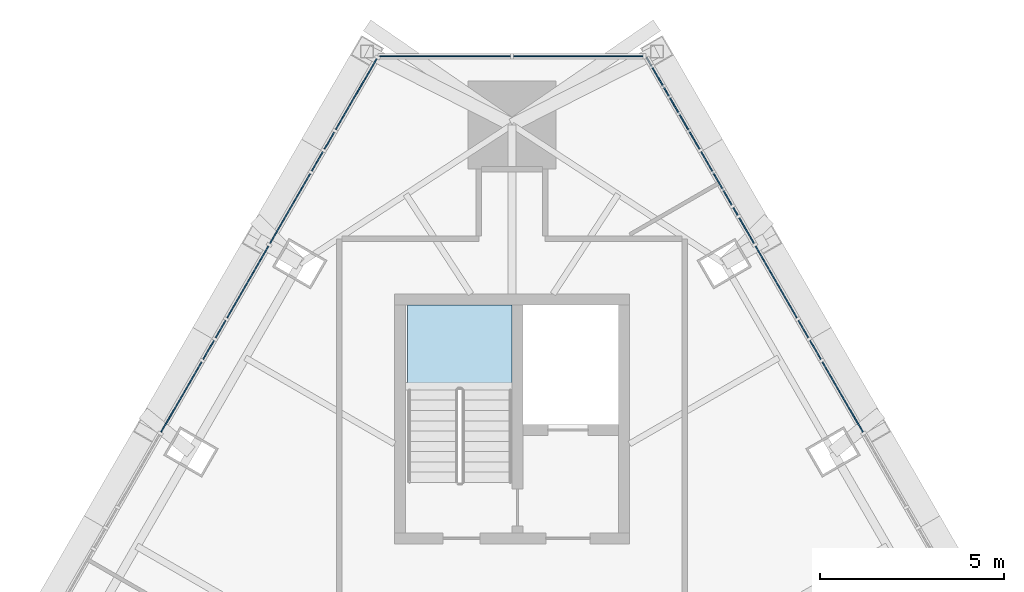
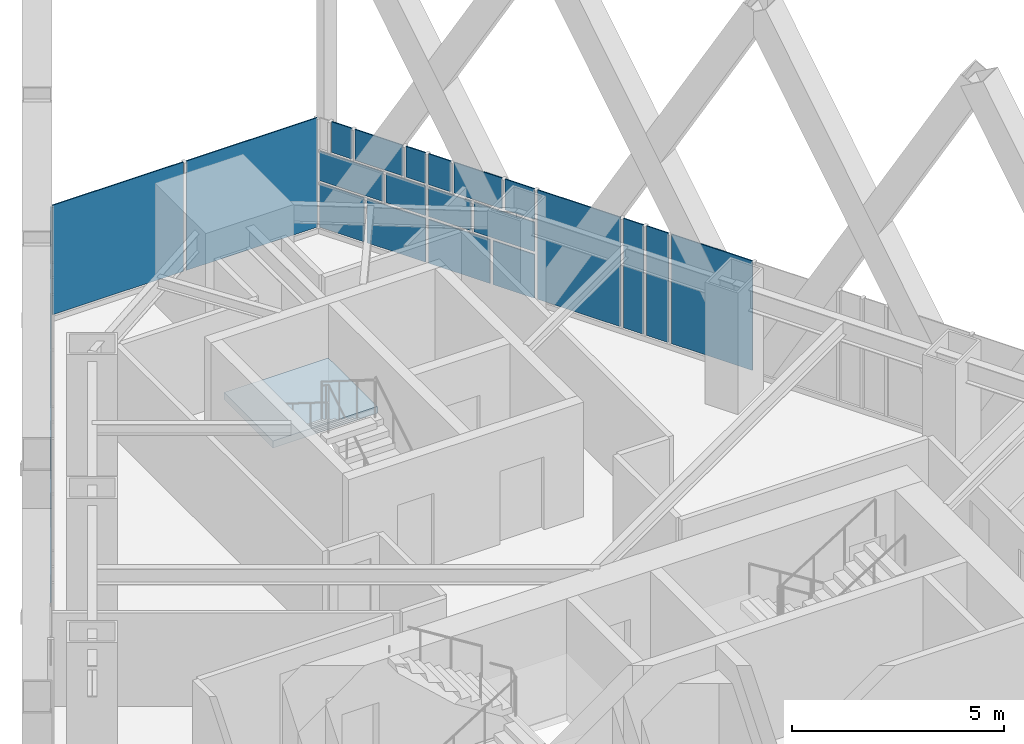
# One storey, part 15 of 23: 28 plates, 1 slab, 4 elements without a shape of their own.
"""IFC4 building model written with IfcOpenShell, lengths in metres."""

from ifc_helpers import new_model, si_unit, direction, frame, origin, place, context, subcontext, project, spatial, polyline, outline, extrude, material, layer, layer_set, type_object, element, aggregate, save


model = new_model("IFC4")

# Units and contexts
model_context = context("Model", 3, precision=1e-05, world=origin(), true_north=direction((0.0, 1.0)))
body_context = subcontext(model_context, "Body", "Model", "MODEL_VIEW")
ifc_project = project(units=[si_unit("LENGTHUNIT", "METRE"), si_unit("AREAUNIT", "SQUARE_METRE"), si_unit("VOLUMEUNIT", "CUBIC_METRE"), si_unit("PLANEANGLEUNIT", "RADIAN"), si_unit("MASSUNIT", "GRAM", prefix="KILO")], contexts=[model_context])

# Site, building, storey
site_placement = place(None, origin())
site = spatial("IfcSite", under=ifc_project, at=site_placement, CompositionType="ELEMENT")
building_placement = place(site_placement, origin())
building = spatial("IfcBuilding", under=site, at=building_placement, Name="Firuza Gate Tower and Library", CompositionType="ELEMENT")
storey_placement = place(building_placement, frame((0.0, 0.0, 312.60009765625)))
storey = spatial("IfcBuildingStorey", under=building, at=storey_placement, Name="L76", CompositionType="ELEMENT", Elevation=312.60009765625)

# Curtain wall, plates
ifc_material_1 = material(Name="Aluminium 6063-T6", Category="aluminium")
ifc_layer_1 = layer(ifc_material_1, 0.14990234375)
ifc_layer_set_1 = layer_set([ifc_layer_1], Name="Corner curtain wall, chamfers")
curtain_wall_type_1 = type_object("IfcCurtainWallType", Name="Corner curtain wall, chamfers", PredefinedType="NOTDEFINED", material=ifc_layer_set_1)
placement = place(storey_placement, origin())
curtain_wall_1 = element("IfcCurtainWall", 1, at=placement, inside=storey, type_object=curtain_wall_type_1, Name="CW4 L76 N corner", PredefinedType="NOTDEFINED")
ifc_material_2 = material(Name="Fritted glass", Category="glass")
ifc_layer_2 = layer(ifc_material_2, 0.030029296875)
ifc_layer_set_2 = layer_set([ifc_layer_2], Name="Fritted glass unit, corners")
plate_type_1 = type_object("IfcPlateType", Name="Fritted glass unit, corners", PredefinedType="CURTAIN_PANEL", material=ifc_layer_set_2)
plate_1_placement = place(storey_placement, frame((78.603271484375, 101.09375, 0.14990234375), z_axis=(0.0, 1.0, 0.0), x_axis=(-1.0, 0.0, 0.0)))
plate_1 = element("IfcPlate", 2, at=plate_1_placement, type_object=plate_type_1, Name="Glass unit", PredefinedType="CURTAIN_PANEL", context=body_context, shape_type="SweptSolid", body=[
    extrude(outline(polyline([(0.0, 0.0), (3.563232421875, 0.0), (3.563232421875, 3.14990234375), (0.0, 3.14990234375), (0.0, 0.0)])), origin(), (0.0, 0.0, -1.0), 0.030029296875),
])
plate_2_placement = place(storey_placement, frame((74.9599609375, 101.09375, 0.14990234375), z_axis=(0.0, 1.0, 0.0), x_axis=(-1.0, 0.0, 0.0)))
plate_2 = element("IfcPlate", 3, at=plate_2_placement, type_object=plate_type_1, Name="Glass unit", PredefinedType="CURTAIN_PANEL", context=body_context, shape_type="SweptSolid", body=[
    extrude(outline(polyline([(0.0, 0.0), (3.563232421875, 0.0), (3.563232421875, 3.14990234375), (0.0, 3.14990234375), (0.0, 0.0)])), origin(), (0.0, 0.0, -1.0), 0.030029296875),
])
aggregate(curtain_wall_1, [plate_1, plate_2])

ifc_material_3 = material(Name="Aluminium 6063-T6", Category="aluminium")
ifc_layer_3 = layer(ifc_material_3, 0.14990234375)
ifc_layer_set_3 = layer_set([ifc_layer_3], Name="Unitised curtain wall, residences")
curtain_wall_type_2 = type_object("IfcCurtainWallType", Name="Unitised curtain wall, residences", PredefinedType="NOTDEFINED", material=ifc_layer_set_3)
curtain_wall_2 = element("IfcCurtainWall", 4, at=placement, inside=storey, type_object=curtain_wall_type_2, Name="CW3 L76 E face", PredefinedType="NOTDEFINED")
ifc_material_4 = material(Name="Fritted glass", Category="glass")
ifc_layer_4 = layer(ifc_material_4, 0.030029296875)
ifc_layer_set_4 = layer_set([ifc_layer_4], Name="Fritted glass unit, residences")
plate_type_2 = type_object("IfcPlateType", Name="Fritted glass unit, residences", PredefinedType="CURTAIN_PANEL", material=ifc_layer_set_4)
plate_3_placement = place(storey_placement, frame((83.42431640625, 92.827880859375, 0.14990234375), z_axis=(0.866022320763, 0.500005339912, 0.0), x_axis=(-0.500005339912, 0.866022320763, 0.0)))
plate_3 = element("IfcPlate", 5, at=plate_3_placement, type_object=plate_type_2, Name="Glass unit", PredefinedType="CURTAIN_PANEL", context=body_context, shape_type="SweptSolid", body=[
    extrude(outline(polyline([(0.0, 0.0), (0.5976498672044789, 0.0), (0.5976498672044789, 3.14990234375), (0.0, 3.14990234375), (0.0, 0.0)])), origin(), (0.0, 0.0, -1.0), 0.030029296875),
])
plate_4_placement = place(storey_placement, frame((83.08544921875, 93.41455078125, 0.14990234375), z_axis=(0.86609656662, 0.499876722092, 0.0), x_axis=(-0.499876722092, 0.86609656662, 0.0)))
plate_4 = element("IfcPlate", 6, at=plate_4_placement, type_object=plate_type_2, Name="Glass unit", PredefinedType="CURTAIN_PANEL", context=body_context, shape_type="SweptSolid", body=[
    extrude(outline(polyline([(0.0, 0.0), (0.5479866718007962, 0.0), (0.5479866718007962, 3.14990234375), (0.0, 3.14990234375), (0.0, 0.0)])), origin(), (0.0, 0.0, -1.0), 0.030029296875),
])
plate_5_placement = place(storey_placement, frame((80.9970703125, 97.031982421875, 0.14990234375), z_axis=(0.866037559794, 0.499978944582, 0.0), x_axis=(-0.499978944582, 0.866037559794, 0.0)))
plate_5 = element("IfcPlate", 7, at=plate_5_placement, type_object=plate_type_2, Name="Glass unit", PredefinedType="CURTAIN_PANEL", context=body_context, shape_type="SweptSolid", body=[
    extrude(outline(polyline([(0.0, 0.0), (1.675363519706803, 0.0), (1.675363519706803, 1.2600097656249998), (0.0, 1.2600097656249998), (0.0, 0.0)])), origin(), (0.0, 0.0, -1.0), 0.030029296875),
])
plate_6_placement = place(storey_placement, frame((80.736328125, 97.483642578125, 1.489990234375), z_axis=(0.866034075723, 0.499984979461, 0.0), x_axis=(-0.499984979461, 0.866034075723, 0.0)))
plate_6 = element("IfcPlate", 8, at=plate_6_placement, type_object=plate_type_2, Name="Glass unit", PredefinedType="CURTAIN_PANEL", context=body_context, shape_type="SweptSolid", body=[
    extrude(outline(polyline([(0.0, 0.0), (1.1538432564454504, 0.0), (1.1538432564454504, 0.844970703125), (0.0, 0.844970703125), (0.0, 0.0)])), origin(), (0.0, 0.0, -1.0), 0.030029296875),
])
plate_7_placement = place(storey_placement, frame((81.6025390625, 95.9833984375, 2.414794921875), z_axis=(0.865973197758, 0.50009041259, 0.0), x_axis=(-0.50009041259, 0.865973197758, 0.0)))
plate_7 = element("IfcPlate", 9, at=plate_7_placement, type_object=plate_type_2, Name="Glass unit", PredefinedType="CURTAIN_PANEL", context=body_context, shape_type="SweptSolid", body=[
    extrude(outline(polyline([(0.0, 0.0), (0.8040538255718062, 0.0), (0.8040538255718062, 0.8850097656250002), (0.0, 0.8850097656250002), (0.0, 0.0)])), origin(), (0.0, 0.0, -1.0), 0.030029296875),
])
plate_8_placement = place(storey_placement, frame((80.46435546875, 97.954833984375, 2.414794921875), z_axis=(0.865992225662, 0.50005746179, 0.0), x_axis=(-0.50005746179, 0.865992225662, 0.0)))
plate_8 = element("IfcPlate", 10, at=plate_8_placement, type_object=plate_type_2, Name="Glass unit", PredefinedType="CURTAIN_PANEL", context=body_context, shape_type="SweptSolid", body=[
    extrude(outline(polyline([(0.0, 0.0), (0.609793201631839, 0.0), (0.609793201631839, 0.885009765625), (0.0, 0.885009765625), (0.0, 0.0)])), origin(), (0.0, 0.0, -1.0), 0.030029296875),
])
plate_9_placement = place(storey_placement, frame((80.119384765625, 98.55224609375, 0.14990234375), z_axis=(0.866010359988, 0.500026055714, 0.0), x_axis=(-0.500026055714, 0.866010359988, 0.0)))
plate_9 = element("IfcPlate", 11, at=plate_9_placement, type_object=plate_type_2, Name="Glass unit", PredefinedType="CURTAIN_PANEL", context=body_context, shape_type="SweptSolid", body=[
    extrude(outline(polyline([(0.0, 0.0), (1.6009907888329775, 0.0), (1.6009907888329775, 1.260009765625), (0.0, 1.260009765625), (0.0, 0.0)])), origin(), (0.0, 0.0, -1.0), 0.030029296875),
])
plate_10_placement = place(storey_placement, frame((80.119384765625, 98.55224609375, 1.489990234375), z_axis=(0.8659934935, 0.500055266161, 0.0), x_axis=(-0.500055266161, 0.8659934935, 0.0)))
plate_10 = element("IfcPlate", 12, at=plate_10_placement, type_object=plate_type_2, Name="Glass unit", PredefinedType="CURTAIN_PANEL", context=body_context, shape_type="SweptSolid", body=[
    extrude(outline(polyline([(0.0, 0.0), (1.079470527366741, 0.0), (1.079470527366741, 0.844970703125), (0.0, 0.844970703125), (0.0, 0.0)])), origin(), (0.0, 0.0, -1.0), 0.030029296875),
])
plate_11_placement = place(storey_placement, frame((80.119384765625, 98.55224609375, 2.414794921875), z_axis=(0.865904574115, 0.500209224752, 0.0), x_axis=(-0.500209224752, 0.865904574115, 0.0)))
plate_11 = element("IfcPlate", 13, at=plate_11_placement, type_object=plate_type_2, Name="Glass unit", PredefinedType="CURTAIN_PANEL", context=body_context, shape_type="SweptSolid", body=[
    extrude(outline(polyline([(0.0, 0.0), (0.5354204848137271, 0.0), (0.5354204848137271, 0.885009765625), (0.0, 0.885009765625), (0.0, 0.0)])), origin(), (0.0, 0.0, -1.0), 0.030029296875),
])
plate_12_placement = place(storey_placement, frame((79.115234375, 100.291259765625, 2.414794921875), z_axis=(0.866036909293, 0.499980071345, 0.0), x_axis=(-0.499980071345, 0.866036909293, 0.0)))
plate_12 = element("IfcPlate", 14, at=plate_12_placement, type_object=plate_type_2, Name="Glass unit", PredefinedType="CURTAIN_PANEL", context=body_context, shape_type="SweptSolid", body=[
    extrude(outline(polyline([(0.0, 0.0), (0.5468967978356704, 0.0), (0.5468967978356704, 0.885009765625), (0.0, 0.885009765625), (0.0, 0.0)])), origin(), (0.0, 0.0, -1.0), 0.030029296875),
])

curtain_wall_3 = element("IfcCurtainWall", 15, at=placement, inside=storey, type_object=curtain_wall_type_2, Name="CW3 L76 W face", PredefinedType="NOTDEFINED")
plate_13_placement = place(storey_placement, frame((70.1484375, 99.015869140625, 0.14990234375), z_axis=(-0.865904574115, 0.500209224752, 0.0), x_axis=(-0.500209224752, -0.865904574115, 0.0)))
plate_13 = element("IfcPlate", 16, at=plate_13_placement, type_object=plate_type_2, Name="Glass unit", PredefinedType="CURTAIN_PANEL", context=body_context, shape_type="SweptSolid", body=[
    extrude(outline(polyline([(0.0, 0.0), (0.5354204848137271, 0.0), (0.5354204848137271, 3.14990234375), (0.0, 3.14990234375), (0.0, 0.0)])), origin(), (0.0, 0.0, -1.0), 0.030029296875),
])
plate_14_placement = place(storey_placement, frame((69.840576171875, 98.48291015625, 0.14990234375), z_axis=(-0.865992225662, 0.50005746179, 0.0), x_axis=(-0.50005746179, -0.865992225662, 0.0)))
plate_14 = element("IfcPlate", 17, at=plate_14_placement, type_object=plate_type_2, Name="Glass unit", PredefinedType="CURTAIN_PANEL", context=body_context, shape_type="SweptSolid", body=[
    extrude(outline(polyline([(0.0, 0.0), (0.609793201631839, 0.0), (0.609793201631839, 3.14990234375), (0.0, 3.14990234375), (0.0, 0.0)])), origin(), (0.0, 0.0, -1.0), 0.030029296875),
])
plate_15_placement = place(storey_placement, frame((67.1884765625, 93.88916015625, 0.14990234375), z_axis=(-0.86609656662, 0.499876722092, 0.0), x_axis=(-0.499876722092, -0.86609656662, 0.0)))
plate_15 = element("IfcPlate", 18, at=plate_15_placement, type_object=plate_type_2, Name="Glass unit", PredefinedType="CURTAIN_PANEL", context=body_context, shape_type="SweptSolid", body=[
    extrude(outline(polyline([(0.0, 0.0), (0.5479866718007962, 0.0), (0.5479866718007962, 3.14990234375), (0.0, 3.14990234375), (0.0, 0.0)])), origin(), (0.0, 0.0, -1.0), 0.030029296875),
])
plate_16_placement = place(storey_placement, frame((66.87451171875, 93.345458984375, 0.14990234375), z_axis=(-0.866022320763, 0.500005339912, 0.0), x_axis=(-0.500005339912, -0.866022320763, 0.0)))
plate_16 = element("IfcPlate", 19, at=plate_16_placement, type_object=plate_type_2, Name="Glass unit", PredefinedType="CURTAIN_PANEL", context=body_context, shape_type="SweptSolid", body=[
    extrude(outline(polyline([(0.0, 0.0), (0.5976498672044789, 0.0), (0.5976498672044789, 3.14990234375), (0.0, 3.14990234375), (0.0, 0.0)])), origin(), (0.0, 0.0, -1.0), 0.030029296875),
])

# Plate
ifc_material_5 = material(Name="Glazed ceramic tile")
ifc_layer_5 = layer(ifc_material_5, 0.030029296875)
ifc_layer_set_5 = layer_set([ifc_layer_5], Name="Opaque ceramic panel, residences")
plate_type_3 = type_object("IfcPlateType", Name="Opaque ceramic panel, residences", PredefinedType="CURTAIN_PANEL", material=ifc_layer_set_5)
plate_17_placement = place(storey_placement, frame((84.568603515625, 90.845947265625, 0.14990234375), z_axis=(0.86605121829, 0.4999552853, 0.0), x_axis=(-0.4999552853, 0.86605121829, 0.0)))
plate_17 = element("IfcPlate", 20, at=plate_17_placement, type_object=plate_type_3, Name="Opaque ceramic panel", PredefinedType="CURTAIN_PANEL", context=body_context, shape_type="SweptSolid", body=[
    extrude(outline(polyline([(0.0, 0.0), (2.208693615895883, 0.0), (2.208693615895883, 3.149902343750001), (0.0, 3.149902343750001), (0.0, 0.0)])), origin(), (0.0, 0.0, -1.0), 0.030029296875),
])

plate_18_placement = place(storey_placement, frame((82.771728515625, 93.95849609375, 0.14990234375), z_axis=(0.866005537274, 0.500034408226, 0.0), x_axis=(-0.500034408226, 0.866005537274, 0.0)))
plate_18 = element("IfcPlate", 21, at=plate_18_placement, type_object=plate_type_3, Name="Opaque ceramic panel", PredefinedType="CURTAIN_PANEL", context=body_context, shape_type="SweptSolid", body=[
    extrude(outline(polyline([(0.0, 0.0), (2.2581453836947984, 0.0), (2.2581453836947984, 3.149902343750001), (0.0, 3.149902343750001), (0.0, 0.0)])), origin(), (0.0, 0.0, -1.0), 0.030029296875),
])

plate_19_placement = place(storey_placement, frame((81.6025390625, 95.9833984375, 0.14990234375), z_axis=(0.866002210665, 0.500040169509, 0.0), x_axis=(-0.500040169509, 0.866002210665, 0.0)))
plate_19 = element("IfcPlate", 22, at=plate_19_placement, type_object=plate_type_3, Name="Opaque ceramic panel", PredefinedType="CURTAIN_PANEL", context=body_context, shape_type="SweptSolid", body=[
    extrude(outline(polyline([(0.0, 0.0), (1.130768530166475, 0.0), (1.130768530166475, 1.260009765625), (0.0, 1.260009765625), (0.0, 0.0)])), origin(), (0.0, 0.0, -1.0), 0.030029296875),
])

plate_20_placement = place(storey_placement, frame((81.6025390625, 95.9833984375, 1.489990234375), z_axis=(0.866015801768, 0.500016630811, 0.0), x_axis=(-0.500016630811, 0.866015801768, 0.0)))
plate_20 = element("IfcPlate", 23, at=plate_20_placement, type_object=plate_type_3, Name="Opaque ceramic panel", PredefinedType="CURTAIN_PANEL", context=body_context, shape_type="SweptSolid", body=[
    extrude(outline(polyline([(0.0, 0.0), (1.6522887921944613, 0.0), (1.6522887921944613, 0.844970703125), (0.0, 0.844970703125), (0.0, 0.0)])), origin(), (0.0, 0.0, -1.0), 0.030029296875),
])

plate_21_placement = place(storey_placement, frame((81.16064453125, 96.748779296875, 2.414794921875), z_axis=(0.865956365383, 0.500119558959, 0.0), x_axis=(-0.500119558959, 0.865956365383, 0.0)))
plate_21 = element("IfcPlate", 24, at=plate_21_placement, type_object=plate_type_3, Name="Opaque ceramic panel", PredefinedType="CURTAIN_PANEL", context=body_context, shape_type="SweptSolid", body=[
    extrude(outline(polyline([(0.0, 0.0), (1.3126743972808033, 0.0), (1.3126743972808033, 0.8850097656250002), (0.0, 0.8850097656250002), (0.0, 0.0)])), origin(), (0.0, 0.0, -1.0), 0.030029296875),
])

plate_22_placement = place(storey_placement, frame((79.27880859375, 100.008056640625, 0.14990234375), z_axis=(0.866040526528, 0.499973805724, 0.0), x_axis=(-0.499973805724, 0.866040526528, 0.0)))
plate_22 = element("IfcPlate", 25, at=plate_22_placement, type_object=plate_type_3, Name="Opaque ceramic panel", PredefinedType="CURTAIN_PANEL", context=body_context, shape_type="SweptSolid", body=[
    extrude(outline(polyline([(0.0, 0.0), (1.205141260604593, 0.0), (1.205141260604593, 1.260009765625), (0.0, 1.260009765625), (0.0, 0.0)])), origin(), (0.0, 0.0, -1.0), 0.030029296875),
])

plate_23_placement = place(storey_placement, frame((79.53955078125, 99.556396484375, 1.489990234375), z_axis=(0.866041958654, 0.499971325029, 0.0), x_axis=(-0.499971325029, 0.866041958654, 0.0)))
plate_23 = element("IfcPlate", 26, at=plate_23_placement, type_object=plate_type_3, Name="Opaque ceramic panel", PredefinedType="CURTAIN_PANEL", context=body_context, shape_type="SweptSolid", body=[
    extrude(outline(polyline([(0.0, 0.0), (1.7266615239395722, 0.0), (1.7266615239395722, 0.844970703125), (0.0, 0.844970703125), (0.0, 0.0)])), origin(), (0.0, 0.0, -1.0), 0.030029296875),
])

plate_24_placement = place(storey_placement, frame((79.8115234375, 99.085205078125, 2.414794921875), z_axis=(0.866036909293, 0.499980071345, 0.0), x_axis=(-0.499980071345, 0.866036909293, 0.0)))
plate_24 = element("IfcPlate", 27, at=plate_24_placement, type_object=plate_type_3, Name="Opaque ceramic panel", PredefinedType="CURTAIN_PANEL", context=body_context, shape_type="SweptSolid", body=[
    extrude(outline(polyline([(0.0, 0.0), (1.3125523148056089, 0.0), (1.3125523148056089, 0.885009765625), (0.0, 0.885009765625), (0.0, 0.0)])), origin(), (0.0, 0.0, -1.0), 0.030029296875),
])

aggregate(curtain_wall_2, [plate_17, plate_3, plate_4, plate_18, plate_19, plate_5, plate_20, plate_6, plate_7, plate_21, plate_8, plate_9, plate_22, plate_10, plate_23, plate_11, plate_24, plate_12])

plate_25_placement = place(storey_placement, frame((71.32373046875, 101.0517578125, 0.14990234375), z_axis=(-0.866051307416, 0.49995513091, 0.0), x_axis=(-0.49995513091, -0.866051307416, 0.0)))
plate_25 = element("IfcPlate", 28, at=plate_25_placement, type_object=plate_type_3, Name="Opaque ceramic panel", PredefinedType="CURTAIN_PANEL", context=body_context, shape_type="SweptSolid", body=[
    extrude(outline(polyline([(0.0, 0.0), (2.2707115820230612, 0.0), (2.2707115820230612, 3.14990234375), (0.0, 3.14990234375), (0.0, 0.0)])), origin(), (0.0, 0.0, -1.0), 0.030029296875),
])

plate_26_placement = place(storey_placement, frame((69.495849609375, 97.885498046875, 0.14990234375), z_axis=(-0.865983813802, 0.500072029045, 0.0), x_axis=(-0.500072029045, -0.865983813802, 0.0)))
plate_26 = element("IfcPlate", 29, at=plate_26_placement, type_object=plate_type_3, Name="Opaque ceramic panel", PredefinedType="CURTAIN_PANEL", context=body_context, shape_type="SweptSolid", body=[
    extrude(outline(polyline([(0.0, 0.0), (2.196460925782167, 0.0), (2.196460925782167, 3.14990234375), (0.0, 3.14990234375), (0.0, 0.0)])), origin(), (0.0, 0.0, -1.0), 0.030029296875),
])

plate_27_placement = place(storey_placement, frame((68.357421875, 95.9140625, 0.14990234375), z_axis=(-0.866005537274, 0.500034408226, 0.0), x_axis=(-0.500034408226, -0.866005537274, 0.0)))
plate_27 = element("IfcPlate", 30, at=plate_27_placement, type_object=plate_type_3, Name="Opaque ceramic panel", PredefinedType="CURTAIN_PANEL", context=body_context, shape_type="SweptSolid", body=[
    extrude(outline(polyline([(0.0, 0.0), (2.2581453836947984, 0.0), (2.2581453836947984, 3.149902343750001), (0.0, 3.149902343750001), (0.0, 0.0)])), origin(), (0.0, 0.0, -1.0), 0.030029296875),
])

plate_28_placement = place(storey_placement, frame((66.53564453125, 92.7587890625, 0.14990234375), z_axis=(-0.86605121829, 0.4999552853, 0.0), x_axis=(-0.4999552853, -0.86605121829, 0.0)))
plate_28 = element("IfcPlate", 31, at=plate_28_placement, type_object=plate_type_3, Name="Opaque ceramic panel", PredefinedType="CURTAIN_PANEL", context=body_context, shape_type="SweptSolid", body=[
    extrude(outline(polyline([(0.0, 0.0), (2.208693615895883, 0.0), (2.208693615895883, 3.149902343750001), (0.0, 3.149902343750001), (0.0, 0.0)])), origin(), (0.0, 0.0, -1.0), 0.030029296875),
])

aggregate(curtain_wall_3, [plate_25, plate_13, plate_14, plate_26, plate_27, plate_15, plate_16, plate_28])

# Stair, slab
ifc_material_6 = material(Name="Concrete C35/45", Category="concrete")
stair_type = type_object("IfcStairType", Name="Exit stair ST17", PredefinedType="HALF_TURN_STAIR", material=ifc_material_6)
stair = element("IfcStair", 32, at=placement, inside=storey, type_object=stair_type, Name="L76 Stair ST3", PredefinedType="HALF_TURN_STAIR")
ifc_material_7 = material(Name="Concrete C35/45", Category="concrete")
ifc_layer_6 = layer(ifc_material_7, 0.199951171875)
ifc_layer_set_6 = layer_set([ifc_layer_6], Name="Stair landing 200")
slab_type = type_object("IfcSlabType", Name="Stair landing 200", PredefinedType="LANDING", material=ifc_layer_set_6)
slab_placement = place(storey_placement, frame((0.0, 0.0, 1.5498046875)))
slab = element("IfcSlab", 33, at=slab_placement, type_object=slab_type, Name="ST3 landing 1", PredefinedType="LANDING", context=body_context, shape_type="SweptSolid", body=[
    extrude(outline(polyline([(75.0, 91.989990234375), (75.0, 94.300048828125), (72.159912109375, 94.300048828125), (72.159912109375, 91.989990234375), (75.0, 91.989990234375)])), origin(), (0.0, 0.0, 1.0), 0.2001953125),
])
aggregate(stair, [slab])

save(model, "model.ifc")
